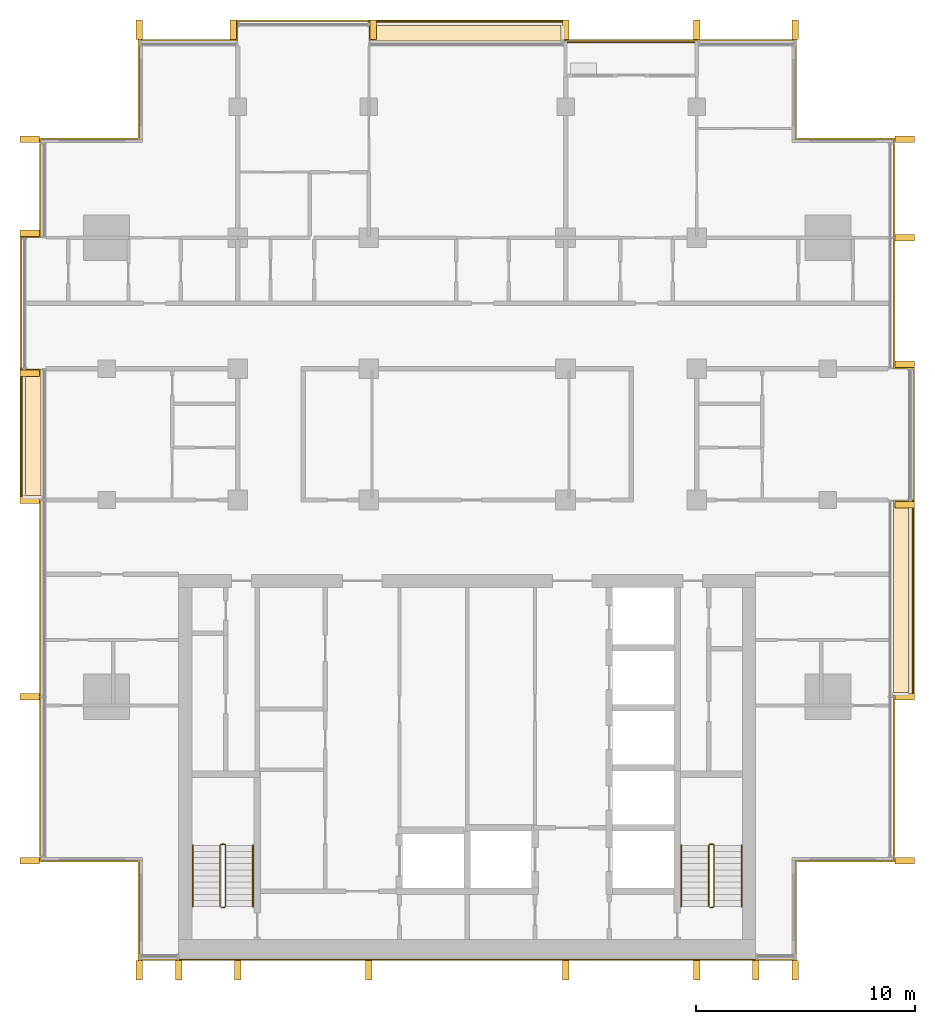
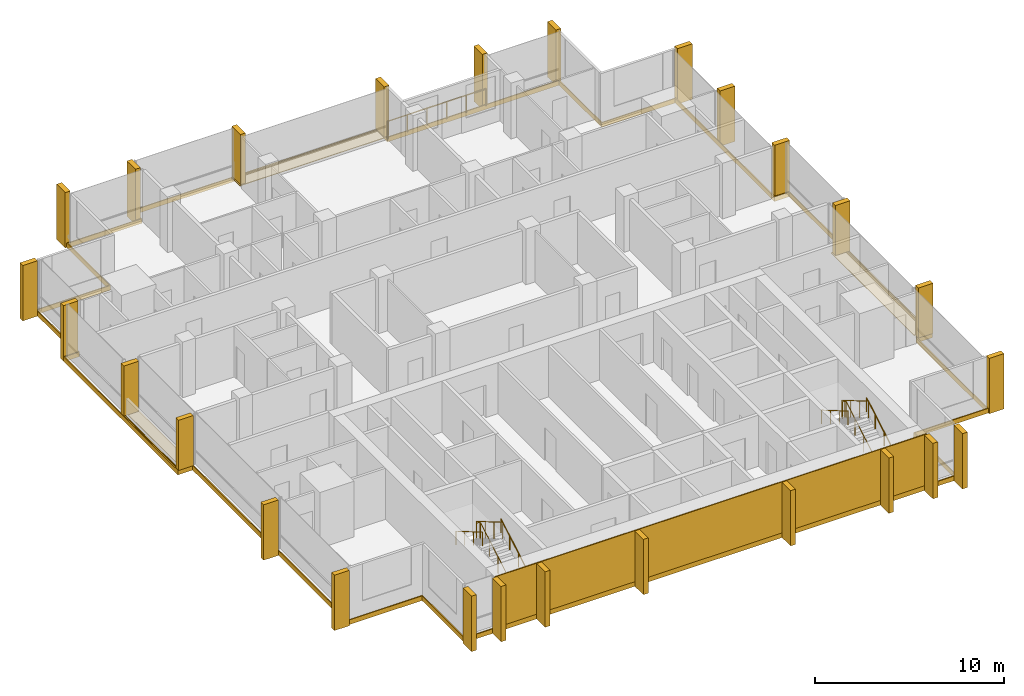
# One storey, part 16 of 16: 26 shading devices, 12 coverings, 7 railings.
"""IFC4 building model written with IfcOpenShell, lengths in metres."""

from ifc_helpers import new_model, si_unit, direction, frame, origin, origin_2d, place, context, subcontext, project, spatial, polyline, rectangle, circle, outline, extrude, material, layer, layer_set, type_object, element, save


model = new_model("IFC4")

# Units and contexts
model_context = context("Model", 3, precision=1e-05, world=origin(), true_north=direction((0.0, 1.0)))
body_context = subcontext(model_context, "Body", "Model", "MODEL_VIEW")
ifc_project = project(units=[si_unit("LENGTHUNIT", "METRE"), si_unit("AREAUNIT", "SQUARE_METRE"), si_unit("VOLUMEUNIT", "CUBIC_METRE"), si_unit("PLANEANGLEUNIT", "RADIAN"), si_unit("MASSUNIT", "GRAM", prefix="KILO")], contexts=[model_context])

# Site, building, storey
site_placement = place(None, origin())
site = spatial("IfcSite", under=ifc_project, at=site_placement, CompositionType="ELEMENT")
building_placement = place(site_placement, origin())
building = spatial("IfcBuilding", under=site, at=building_placement, Name="Finial Court Residences", CompositionType="ELEMENT")
storey_placement = place(building_placement, frame((0.0, 0.0, 219.5)))
storey = spatial("IfcBuildingStorey", under=building, at=storey_placement, Name="L55", CompositionType="ELEMENT", Elevation=219.5)

# Railing
ifc_material_1 = material(Name="Bronze anodised aluminium", Category="aluminium")
railing_type_1 = type_object("IfcRailingType", Name="Balcony guard 1100", PredefinedType="GUARDRAIL", material=ifc_material_1)
railing_1_placement = place(storey_placement, frame((4.5, 16.449951171875, 0.0)))
element("IfcRailing", 1, at=railing_1_placement, inside=storey, type_object=railing_type_1, Name="E-L55-BALN4-R", PredefinedType="GUARDRAIL", context=body_context, shape_type="SweptSolid", body=[
    extrude(circle(Radius=0.02392578125, at=origin_2d()), frame((0.0, 0.0, 1.076171875), z_axis=(1.0, 0.0, 0.0), x_axis=(0.0, 1.0, 0.0)), (0.0, 0.0, 1.0), 6.0),
    extrude(circle(Radius=0.02099609375, at=origin_2d()), origin(), (0.0, 0.0, 1.0), 1.052001953125),
    extrude(circle(Radius=0.02099609375, at=origin_2d()), frame((1.199951171875, 0.0, 0.0)), (0.0, 0.0, 1.0), 1.052001953125),
    extrude(circle(Radius=0.02099609375, at=origin_2d()), frame((2.39990234375, 0.0, 0.0)), (0.0, 0.0, 1.0), 1.052001953125),
    extrude(circle(Radius=0.02099609375, at=origin_2d()), frame((3.60009765625, 0.0, 0.0)), (0.0, 0.0, 1.0), 1.052001953125),
    extrude(circle(Radius=0.02099609375, at=origin_2d()), frame((4.800048828125, 0.0, 0.0)), (0.0, 0.0, 1.0), 1.052001953125),
    extrude(circle(Radius=0.02099609375, at=origin_2d()), frame((6.0, 0.0, 0.0)), (0.0, 0.0, 1.0), 1.052001953125),
])

# Coverings
ifc_material_2 = material(Name="Natural limestone", Category="masonry")
ifc_layer_1 = layer(ifc_material_2, 0.06005859375)
ifc_layer_set_1 = layer_set([ifc_layer_1], Name="Limestone cladding to the blind core face 60")
covering_type_1 = type_object("IfcCoveringType", Name="Limestone cladding to the blind core face 60", PredefinedType="CLADDING", material=ifc_layer_set_1)
covering_1_placement = place(storey_placement, origin())
element("IfcCovering", 2, at=covering_1_placement, inside=storey, type_object=covering_type_1, Name="E-L55-CLAD1", PredefinedType="CLADDING", context=body_context, shape_type="SweptSolid", body=[
    extrude(outline(polyline([(-10.5, -25.56005859375), (-10.5, -25.5), (-13.199951171875, -25.5), (-13.199951171875, -25.56005859375), (-10.5, -25.56005859375)])), origin(), (0.0, 0.0, 1.0), 3.300048828125),
])
covering_2_placement = place(storey_placement, origin())
element("IfcCovering", 3, at=covering_2_placement, inside=storey, type_object=covering_type_1, Name="E-L55-CLAD2", PredefinedType="CLADDING", context=body_context, shape_type="SweptSolid", body=[
    extrude(outline(polyline([(-4.5, -25.56005859375), (-4.5, -25.5), (-10.5, -25.5), (-10.5, -25.56005859375), (-4.5, -25.56005859375)])), origin(), (0.0, 0.0, 1.0), 3.300048828125),
])
covering_3_placement = place(storey_placement, origin())
element("IfcCovering", 4, at=covering_3_placement, inside=storey, type_object=covering_type_1, Name="E-L55-CLAD3", PredefinedType="CLADDING", context=body_context, shape_type="SweptSolid", body=[
    extrude(outline(polyline([(4.5, -25.56005859375), (4.5, -25.5), (-4.5, -25.5), (-4.5, -25.56005859375), (4.5, -25.56005859375)])), origin(), (0.0, 0.0, 1.0), 3.300048828125),
])
covering_4_placement = place(storey_placement, origin())
element("IfcCovering", 5, at=covering_4_placement, inside=storey, type_object=covering_type_1, Name="E-L55-CLAD4", PredefinedType="CLADDING", context=body_context, shape_type="SweptSolid", body=[
    extrude(outline(polyline([(10.5, -25.56005859375), (10.5, -25.5), (4.5, -25.5), (4.5, -25.56005859375), (10.5, -25.56005859375)])), origin(), (0.0, 0.0, 1.0), 3.300048828125),
])
covering_5_placement = place(storey_placement, origin())
element("IfcCovering", 6, at=covering_5_placement, inside=storey, type_object=covering_type_1, Name="E-L55-CLAD5", PredefinedType="CLADDING", context=body_context, shape_type="SweptSolid", body=[
    extrude(outline(polyline([(13.199951171875, -25.56005859375), (13.199951171875, -25.5), (10.5, -25.5), (10.5, -25.56005859375), (13.199951171875, -25.56005859375)])), origin(), (0.0, 0.0, 1.0), 3.300048828125),
])

# Shading devices
shading_device_type = type_object("IfcShadingDeviceType", Name="Limestone fin 300 x 900", PredefinedType="USERDEFINED", material=ifc_material_2)
for number, where, z_axis, x_axis, name in (
    (7, (-15.0, 17.010009765625, -0.300048828125), (0.0, 0.0, 1.0), (1.0, 0.0, 0.0), "E-L55-FIN-N1"),
    (8, (-10.7099609375, 17.010009765625, -0.300048828125), (0.0, 0.0, 1.0), (1.0, 0.0, 0.0), "E-L55-FIN-N2"),
):
    element("IfcShadingDevice", number, at=place(storey_placement, frame(where, z_axis=z_axis, x_axis=x_axis)), inside=storey, type_object=shading_device_type, Name=name, ObjectType="FIN", PredefinedType="USERDEFINED", context=body_context, shape_type="SweptSolid", body=[
        extrude(rectangle(XDim=0.300048828125, YDim=0.89990234375, at=origin_2d()), origin(), (0.0, 0.0, 1.0), 3.580078125),
    ])
for number, where, z_axis, x_axis, name in (
    (9, (-4.2900390625, 17.010009765625, 0.0400390625), (0.0, 0.0, 1.0), (1.0, 0.0, 0.0), "E-L55-FIN-N3"),
    (10, (4.5, 17.010009765625, 0.0400390625), (0.0, 0.0, 1.0), (1.0, 0.0, 0.0), "E-L55-FIN-N4"),
):
    element("IfcShadingDevice", number, at=place(storey_placement, frame(where, z_axis=z_axis, x_axis=x_axis)), inside=storey, type_object=shading_device_type, Name=name, ObjectType="FIN", PredefinedType="USERDEFINED", context=body_context, shape_type="SweptSolid", body=[
        extrude(rectangle(XDim=0.300048828125, YDim=0.89990234375, at=origin_2d()), origin(), (0.0, 0.0, 1.0), 3.239990234375),
    ])
for number, where, z_axis, x_axis, name in (
    (11, (10.5, 17.010009765625, -0.300048828125), (0.0, 0.0, 1.0), (1.0, 0.0, 0.0), "E-L55-FIN-N5"),
    (12, (15.0, 17.010009765625, -0.300048828125), (0.0, 0.0, 1.0), (1.0, 0.0, 0.0), "E-L55-FIN-N6"),
):
    element("IfcShadingDevice", number, at=place(storey_placement, frame(where, z_axis=z_axis, x_axis=x_axis)), inside=storey, type_object=shading_device_type, Name=name, ObjectType="FIN", PredefinedType="USERDEFINED", context=body_context, shape_type="SweptSolid", body=[
        extrude(rectangle(XDim=0.300048828125, YDim=0.89990234375, at=origin_2d()), origin(), (0.0, 0.0, 1.0), 3.580078125),
    ])
shading_device_placement = place(storey_placement, frame((20.010009765625, -21.0, -0.300048828125), z_axis=(0.0, 0.0, 1.0), x_axis=(1.0, 0.0, 0.0)))
element("IfcShadingDevice", 13, at=shading_device_placement, inside=storey, type_object=shading_device_type, Name="E-L55-FIN-E7", ObjectType="FIN", PredefinedType="USERDEFINED", context=body_context, shape_type="SweptSolid", body=[
    extrude(rectangle(XDim=0.89990234375, YDim=0.300048828125, at=origin_2d()), origin(), (0.0, 0.0, 1.0), 3.580078125),
])
for number, where, z_axis, x_axis, name in (
    (14, (20.010009765625, -13.5, 0.0400390625), (0.0, 0.0, 1.0), (1.0, 0.0, 0.0), "E-L55-FIN-E8"),
    (15, (20.010009765625, -4.7099609375, 0.0400390625), (0.0, 0.0, 1.0), (1.0, 0.0, 0.0), "E-L55-FIN-E9"),
):
    element("IfcShadingDevice", number, at=place(storey_placement, frame(where, z_axis=z_axis, x_axis=x_axis)), inside=storey, type_object=shading_device_type, Name=name, ObjectType="FIN", PredefinedType="USERDEFINED", context=body_context, shape_type="SweptSolid", body=[
        extrude(rectangle(XDim=0.89990234375, YDim=0.300048828125, at=origin_2d()), origin(), (0.0, 0.0, 1.0), 3.239990234375),
    ])
for number, where, z_axis, x_axis, name in (
    (16, (20.010009765625, 1.7099609375, -0.300048828125), (0.0, 0.0, 1.0), (1.0, 0.0, 0.0), "E-L55-FIN-E10"),
    (17, (20.010009765625, 7.5, -0.300048828125), (0.0, 0.0, 1.0), (1.0, 0.0, 0.0), "E-L55-FIN-E11"),
    (18, (20.010009765625, 12.0, -0.300048828125), (0.0, 0.0, 1.0), (1.0, 0.0, 0.0), "E-L55-FIN-E12"),
):
    element("IfcShadingDevice", number, at=place(storey_placement, frame(where, z_axis=z_axis, x_axis=x_axis)), inside=storey, type_object=shading_device_type, Name=name, ObjectType="FIN", PredefinedType="USERDEFINED", context=body_context, shape_type="SweptSolid", body=[
        extrude(rectangle(XDim=0.89990234375, YDim=0.300048828125, at=origin_2d()), origin(), (0.0, 0.0, 1.0), 3.580078125),
    ])
for number, where, z_axis, x_axis, name in (
    (19, (-15.0, -26.010009765625, -0.300048828125), (0.0, 0.0, 1.0), (1.0, 0.0, 0.0), "E-L55-FIN-S13"),
    (20, (-13.199951171875, -26.010009765625, -0.300048828125), (0.0, 0.0, 1.0), (1.0, 0.0, 0.0), "E-L55-FIN-S14"),
    (21, (-10.5, -26.010009765625, -0.300048828125), (0.0, 0.0, 1.0), (1.0, 0.0, 0.0), "E-L55-FIN-S15"),
    (22, (-4.5, -26.010009765625, -0.300048828125), (0.0, 0.0, 1.0), (1.0, 0.0, 0.0), "E-L55-FIN-S16"),
    (23, (4.5, -26.010009765625, -0.300048828125), (0.0, 0.0, 1.0), (1.0, 0.0, 0.0), "E-L55-FIN-S17"),
    (24, (10.5, -26.010009765625, -0.300048828125), (0.0, 0.0, 1.0), (1.0, 0.0, 0.0), "E-L55-FIN-S18"),
    (25, (13.199951171875, -26.010009765625, -0.300048828125), (0.0, 0.0, 1.0), (1.0, 0.0, 0.0), "E-L55-FIN-S19"),
    (26, (15.0, -26.010009765625, -0.300048828125), (0.0, 0.0, 1.0), (1.0, 0.0, 0.0), "E-L55-FIN-S20"),
):
    element("IfcShadingDevice", number, at=place(storey_placement, frame(where, z_axis=z_axis, x_axis=x_axis)), inside=storey, type_object=shading_device_type, Name=name, ObjectType="FIN", PredefinedType="USERDEFINED", context=body_context, shape_type="SweptSolid", body=[
        extrude(rectangle(XDim=0.300048828125, YDim=0.89990234375, at=origin_2d()), origin(), (0.0, 0.0, 1.0), 3.580078125),
    ])
for number, where, z_axis, x_axis, name in (
    (27, (-20.010009765625, -21.0, -0.300048828125), (0.0, 0.0, 1.0), (1.0, 0.0, 0.0), "E-L55-FIN-W21"),
    (28, (-20.010009765625, -13.5, -0.300048828125), (0.0, 0.0, 1.0), (1.0, 0.0, 0.0), "E-L55-FIN-W22"),
):
    element("IfcShadingDevice", number, at=place(storey_placement, frame(where, z_axis=z_axis, x_axis=x_axis)), inside=storey, type_object=shading_device_type, Name=name, ObjectType="FIN", PredefinedType="USERDEFINED", context=body_context, shape_type="SweptSolid", body=[
        extrude(rectangle(XDim=0.89990234375, YDim=0.300048828125, at=origin_2d()), origin(), (0.0, 0.0, 1.0), 3.580078125),
    ])
for number, where, z_axis, x_axis, name in (
    (29, (-20.010009765625, -4.5, 0.0400390625), (0.0, 0.0, 1.0), (1.0, 0.0, 0.0), "E-L55-FIN-W23"),
    (30, (-20.010009765625, 1.2900390625, 0.0400390625), (0.0, 0.0, 1.0), (1.0, 0.0, 0.0), "E-L55-FIN-W24"),
):
    element("IfcShadingDevice", number, at=place(storey_placement, frame(where, z_axis=z_axis, x_axis=x_axis)), inside=storey, type_object=shading_device_type, Name=name, ObjectType="FIN", PredefinedType="USERDEFINED", context=body_context, shape_type="SweptSolid", body=[
        extrude(rectangle(XDim=0.89990234375, YDim=0.300048828125, at=origin_2d()), origin(), (0.0, 0.0, 1.0), 3.239990234375),
    ])
for number, where, z_axis, x_axis, name in (
    (31, (-20.010009765625, 7.7099609375, -0.300048828125), (0.0, 0.0, 1.0), (1.0, 0.0, 0.0), "E-L55-FIN-W25"),
    (32, (-20.010009765625, 12.0, -0.300048828125), (0.0, 0.0, 1.0), (1.0, 0.0, 0.0), "E-L55-FIN-W26"),
):
    element("IfcShadingDevice", number, at=place(storey_placement, frame(where, z_axis=z_axis, x_axis=x_axis)), inside=storey, type_object=shading_device_type, Name=name, ObjectType="FIN", PredefinedType="USERDEFINED", context=body_context, shape_type="SweptSolid", body=[
        extrude(rectangle(XDim=0.89990234375, YDim=0.300048828125, at=origin_2d()), origin(), (0.0, 0.0, 1.0), 3.580078125),
    ])

# Coverings
ifc_material_3 = material(Name="Pale limestone", Category="masonry")
ifc_layer_2 = layer(ifc_material_3, 0.06005859375)
ifc_layer_set_2 = layer_set([ifc_layer_2], Name="Pale limestone slab-edge band 60")
covering_type_2 = type_object("IfcCoveringType", Name="Pale limestone slab-edge band 60", PredefinedType="CLADDING", material=ifc_layer_set_2)
covering_6_placement = place(storey_placement, frame((0.0, 0.0, -0.300048828125)))
element("IfcCovering", 33, at=covering_6_placement, inside=storey, type_object=covering_type_2, Name="E-L55-BAND1", PredefinedType="CLADDING", context=body_context, shape_type="SweptSolid", body=[
    extrude(outline(polyline([(15.06005859375, -21.06005859375), (15.06005859375, -25.56005859375), (-15.06005859375, -25.56005859375), (-15.06005859375, -21.06005859375), (-19.56005859375, -21.06005859375), (-19.56005859375, -4.56005859375), (-20.4599609375, -4.56005859375), (-20.4599609375, 7.56005859375), (-19.56005859375, 7.56005859375), (-19.56005859375, 12.06005859375), (-15.06005859375, 12.06005859375), (-15.06005859375, 16.56005859375), (-10.56005859375, 16.56005859375), (-10.56005859375, 17.4599609375), (4.56005859375, 17.4599609375), (4.56005859375, 16.56005859375), (15.06005859375, 16.56005859375), (15.06005859375, 12.06005859375), (19.56005859375, 12.06005859375), (19.56005859375, 1.56005859375), (20.4599609375, 1.56005859375), (20.4599609375, -13.56005859375), (19.56005859375, -13.56005859375), (19.56005859375, -21.06005859375), (15.06005859375, -21.06005859375)]), holes=[polyline([(19.5, -13.5), (20.39990234375, -13.5), (20.39990234375, -4.5), (20.39990234375, 1.5), (19.5, 1.5), (19.5, 12.0), (15.0, 12.0), (15.0, 16.5), (10.5, 16.5), (4.5, 16.5), (4.5, 17.39990234375), (-4.5, 17.39990234375), (-10.5, 17.39990234375), (-10.5, 16.5), (-15.0, 16.5), (-15.0, 12.0), (-19.5, 12.0), (-19.5, 7.5), (-20.39990234375, 7.5), (-20.39990234375, 1.5), (-20.39990234375, -4.5), (-19.5, -4.5), (-19.5, -21.0), (-15.0, -21.0), (-15.0, -25.5), (15.0, -25.5), (15.0, -21.0), (19.5, -21.0), (19.5, -13.5)])]), origin(), (0.0, 0.0, 1.0), 0.300048828125),
])
ifc_material_4 = material(Name="Bitumen membrane")
ifc_layer_3 = layer(ifc_material_4, 0.0400390625)
ifc_layer_set_3 = layer_set([ifc_layer_3], Name="Push box roofing, bitumen membrane 40")
covering_type_3 = type_object("IfcCoveringType", Name="Push box roofing, bitumen membrane 40", PredefinedType="ROOFING", material=ifc_layer_set_3)
covering_7_placement = place(storey_placement, origin())
element("IfcCovering", 34, at=covering_7_placement, inside=storey, type_object=covering_type_3, Name="E-L55-LED1", PredefinedType="ROOFING", context=body_context, shape_type="SweptSolid", body=[
    extrude(outline(polyline([(-19.5, -4.300048828125), (-20.199951171875, -4.300048828125), (-20.199951171875, 1.5), (-19.5, 1.5), (-19.5, -4.300048828125)])), origin(), (0.0, 0.0, 1.0), 0.0400390625),
])
covering_8_placement = place(storey_placement, origin())
element("IfcCovering", 35, at=covering_8_placement, inside=storey, type_object=covering_type_3, Name="E-L55-LED1b", PredefinedType="ROOFING", context=body_context, shape_type="SweptSolid", body=[
    extrude(outline(polyline([(-19.5, -4.5), (-20.39990234375, -4.5), (-20.39990234375, 1.5), (-20.35009765625, 1.5), (-20.35009765625, -4.300048828125), (-20.35009765625, -4.300048828125), (-20.35009765625, -4.449951171875), (-19.5, -4.449951171875), (-19.5, -4.5)])), origin(), (0.0, 0.0, 1.0), 0.0400390625),
])
covering_9_placement = place(storey_placement, origin())
element("IfcCovering", 36, at=covering_9_placement, inside=storey, type_object=covering_type_3, Name="E-L55-LED2", PredefinedType="ROOFING", context=body_context, shape_type="SweptSolid", body=[
    extrude(outline(polyline([(4.449951171875, 16.5), (4.449951171875, 17.199951171875), (4.449951171875, 17.35009765625), (-4.5, 17.35009765625), (-4.5, 17.39990234375), (4.5, 17.39990234375), (4.5, 16.5), (4.449951171875, 16.5)])), origin(), (0.0, 0.0, 1.0), 0.0400390625),
])
covering_10_placement = place(storey_placement, origin())
element("IfcCovering", 37, at=covering_10_placement, inside=storey, type_object=covering_type_3, Name="E-L55-LED2b", PredefinedType="ROOFING", context=body_context, shape_type="SweptSolid", body=[
    extrude(outline(polyline([(-4.5, 16.5), (-4.5, 17.199951171875), (4.300048828125, 17.199951171875), (4.300048828125, 16.5), (-4.5, 16.5)])), origin(), (0.0, 0.0, 1.0), 0.0400390625),
])
covering_11_placement = place(storey_placement, origin())
element("IfcCovering", 38, at=covering_11_placement, inside=storey, type_object=covering_type_3, Name="E-L55-LED3", PredefinedType="ROOFING", context=body_context, shape_type="SweptSolid", body=[
    extrude(outline(polyline([(19.5, -13.449951171875), (20.199951171875, -13.449951171875), (20.35009765625, -13.449951171875), (20.35009765625, -4.5), (20.39990234375, -4.5), (20.39990234375, -13.5), (19.5, -13.5), (19.5, -13.449951171875)])), origin(), (0.0, 0.0, 1.0), 0.0400390625),
])
covering_12_placement = place(storey_placement, origin())
element("IfcCovering", 39, at=covering_12_placement, inside=storey, type_object=covering_type_3, Name="E-L55-LED3b", PredefinedType="ROOFING", context=body_context, shape_type="SweptSolid", body=[
    extrude(outline(polyline([(19.5, -4.5), (20.199951171875, -4.5), (20.199951171875, -13.300048828125), (19.5, -13.300048828125), (19.5, -4.5)])), origin(), (0.0, 0.0, 1.0), 0.0400390625),
])

# Railings
ifc_material_5 = material(Name="Stainless steel railing", Category="steel")
railing_type_2 = type_object("IfcRailingType", Name="Stair guard 1100", PredefinedType="GUARDRAIL", material=ifc_material_5)
railing_2_placement = place(storey_placement, frame((-11.10009765625, -23.14990234375, 0.0)))
element("IfcRailing", 40, at=railing_2_placement, inside=storey, type_object=railing_type_2, Name="L55 ST-1 stair guard 1", PredefinedType="GUARDRAIL", context=body_context, shape_type="SweptSolid", body=[
    extrude(circle(Radius=0.02392578125, at=origin_2d()), frame((0.0, 0.0, 1.076171875), z_axis=(-1.0, 0.0, 0.0), x_axis=(0.0, -1.0, 0.0)), (0.0, 0.0, 1.0), 0.14990234375),
    extrude(circle(Radius=0.02392578125, at=origin_2d()), frame((-0.14990234375, 0.0, 1.076171875), z_axis=(0.760004195007, 0.189305074214, 0.621737253547), x_axis=(-0.241699205484, 0.970351222016, 0.0)), (0.0, 0.0, 1.0), 0.26318359375),
    extrude(circle(Radius=0.02392578125, at=origin_2d()), frame((0.050048828125, 0.0498046875, 1.23974609375), z_axis=(0.0, 0.863360870873, 0.504586966384), x_axis=(-1.0, 0.0, 0.0)), (0.0, 0.0, 1.0), 3.2431640625),
    extrude(circle(Radius=0.02392578125, at=origin_2d()), frame((0.050048828125, 2.849853515625, 2.8759765625), z_axis=(-0.707106781187, 0.707106781187, 0.0), x_axis=(-0.707106781187, -0.707106781187, 0.0)), (0.0, 0.0, 1.0), 0.07080078125),
    extrude(circle(Radius=0.02392578125, at=origin_2d()), frame((0.0, 2.89990234375, 2.8759765625), z_axis=(-1.0, 0.0, 0.0), x_axis=(0.0, -1.0, 0.0)), (0.0, 0.0, 1.0), 0.14990234375),
    extrude(circle(Radius=0.02392578125, at=origin_2d()), frame((-0.14990234375, 2.89990234375, 2.8759765625), z_axis=(-0.280808744504, -0.280808744504, 0.917765164963), x_axis=(0.707106781187, -0.707106781187, 0.0)), (0.0, 0.0, 1.0), 0.17822265625),
    extrude(circle(Radius=0.02392578125, at=origin_2d()), frame((-0.199951171875, 2.849853515625, 3.03955078125), z_axis=(0.0, -0.863360870873, 0.504586966384), x_axis=(1.0, 0.0, 0.0)), (0.0, 0.0, 1.0), 3.2431640625),
    extrude(circle(Radius=0.02099609375, at=origin_2d()), origin(), (0.0, 0.0, 1.0), 1.052001953125),
    extrude(circle(Radius=0.02099609375, at=origin_2d()), frame((-0.14990234375, 0.0, 0.0)), (0.0, 0.0, 1.0), 1.052001953125),
    extrude(circle(Radius=0.02099609375, at=origin_2d()), frame((0.050048828125, 0.0498046875, 0.16357421875)), (0.0, 0.0, 1.0), 1.052001953125),
    extrude(circle(Radius=0.02099609375, at=origin_2d()), frame((0.050048828125, 0.983154296875, 0.708984375)), (0.0, 0.0, 1.0), 1.052001953125),
    extrude(circle(Radius=0.02099609375, at=origin_2d()), frame((0.050048828125, 1.91650390625, 1.254638671875)), (0.0, 0.0, 1.0), 1.052001953125),
    extrude(circle(Radius=0.02099609375, at=origin_2d()), frame((0.050048828125, 2.849853515625, 1.800048828125)), (0.0, 0.0, 1.0), 1.052001953125),
    extrude(circle(Radius=0.02099609375, at=origin_2d()), frame((0.0, 2.89990234375, 1.800048828125)), (0.0, 0.0, 1.0), 1.052001953125),
    extrude(circle(Radius=0.02099609375, at=origin_2d()), frame((-0.14990234375, 2.89990234375, 1.800048828125)), (0.0, 0.0, 1.0), 1.052001953125),
    extrude(circle(Radius=0.02099609375, at=origin_2d()), frame((-0.199951171875, 2.849853515625, 1.963623046875)), (0.0, 0.0, 1.0), 1.052001953125),
    extrude(circle(Radius=0.02099609375, at=origin_2d()), frame((-0.199951171875, 1.91650390625, 2.509033203125)), (0.0, 0.0, 1.0), 1.052001953125),
    extrude(circle(Radius=0.02099609375, at=origin_2d()), frame((-0.199951171875, 0.983154296875, 3.0546875)), (0.0, 0.0, 1.0), 1.052001953125),
    extrude(circle(Radius=0.02099609375, at=origin_2d()), frame((-0.199951171875, 0.0498046875, 3.60009765625)), (0.0, 0.0, 1.0), 1.052001953125),
])
railing_3_placement = place(storey_placement, frame((11.25, -23.14990234375, 0.0)))
element("IfcRailing", 41, at=railing_3_placement, inside=storey, type_object=railing_type_2, Name="L55 ST-2 stair guard 1", PredefinedType="GUARDRAIL", context=body_context, shape_type="SweptSolid", body=[
    extrude(circle(Radius=0.02392578125, at=origin_2d()), frame((0.0, 0.0, 1.076171875), z_axis=(-1.0, 0.0, 0.0), x_axis=(0.0, -1.0, 0.0)), (0.0, 0.0, 1.0), 0.14990234375),
    extrude(circle(Radius=0.02392578125, at=origin_2d()), frame((-0.14990234375, 0.0, 1.076171875), z_axis=(0.760004195007, 0.189305074214, 0.621737253547), x_axis=(-0.241699205484, 0.970351222016, 0.0)), (0.0, 0.0, 1.0), 0.26318359375),
    extrude(circle(Radius=0.02392578125, at=origin_2d()), frame((0.050048828125, 0.0498046875, 1.23974609375), z_axis=(0.0, 0.863360870873, 0.504586966384), x_axis=(-1.0, 0.0, 0.0)), (0.0, 0.0, 1.0), 3.2431640625),
    extrude(circle(Radius=0.02392578125, at=origin_2d()), frame((0.050048828125, 2.849853515625, 2.8759765625), z_axis=(-0.707106781187, 0.707106781187, 0.0), x_axis=(-0.707106781187, -0.707106781187, 0.0)), (0.0, 0.0, 1.0), 0.07080078125),
    extrude(circle(Radius=0.02392578125, at=origin_2d()), frame((0.0, 2.89990234375, 2.8759765625), z_axis=(-1.0, 0.0, 0.0), x_axis=(0.0, -1.0, 0.0)), (0.0, 0.0, 1.0), 0.14990234375),
    extrude(circle(Radius=0.02392578125, at=origin_2d()), frame((-0.14990234375, 2.89990234375, 2.8759765625), z_axis=(-0.280808744504, -0.280808744504, 0.917765164963), x_axis=(0.707106781187, -0.707106781187, 0.0)), (0.0, 0.0, 1.0), 0.17822265625),
    extrude(circle(Radius=0.02392578125, at=origin_2d()), frame((-0.199951171875, 2.849853515625, 3.03955078125), z_axis=(0.0, -0.863360870873, 0.504586966384), x_axis=(1.0, 0.0, 0.0)), (0.0, 0.0, 1.0), 3.2431640625),
    extrude(circle(Radius=0.02099609375, at=origin_2d()), origin(), (0.0, 0.0, 1.0), 1.052001953125),
    extrude(circle(Radius=0.02099609375, at=origin_2d()), frame((-0.14990234375, 0.0, 0.0)), (0.0, 0.0, 1.0), 1.052001953125),
    extrude(circle(Radius=0.02099609375, at=origin_2d()), frame((0.050048828125, 0.0498046875, 0.16357421875)), (0.0, 0.0, 1.0), 1.052001953125),
    extrude(circle(Radius=0.02099609375, at=origin_2d()), frame((0.050048828125, 0.983154296875, 0.708984375)), (0.0, 0.0, 1.0), 1.052001953125),
    extrude(circle(Radius=0.02099609375, at=origin_2d()), frame((0.050048828125, 1.91650390625, 1.254638671875)), (0.0, 0.0, 1.0), 1.052001953125),
    extrude(circle(Radius=0.02099609375, at=origin_2d()), frame((0.050048828125, 2.849853515625, 1.800048828125)), (0.0, 0.0, 1.0), 1.052001953125),
    extrude(circle(Radius=0.02099609375, at=origin_2d()), frame((0.0, 2.89990234375, 1.800048828125)), (0.0, 0.0, 1.0), 1.052001953125),
    extrude(circle(Radius=0.02099609375, at=origin_2d()), frame((-0.14990234375, 2.89990234375, 1.800048828125)), (0.0, 0.0, 1.0), 1.052001953125),
    extrude(circle(Radius=0.02099609375, at=origin_2d()), frame((-0.199951171875, 2.849853515625, 1.963623046875)), (0.0, 0.0, 1.0), 1.052001953125),
    extrude(circle(Radius=0.02099609375, at=origin_2d()), frame((-0.199951171875, 1.91650390625, 2.509033203125)), (0.0, 0.0, 1.0), 1.052001953125),
    extrude(circle(Radius=0.02099609375, at=origin_2d()), frame((-0.199951171875, 0.983154296875, 3.0546875)), (0.0, 0.0, 1.0), 1.052001953125),
    extrude(circle(Radius=0.02099609375, at=origin_2d()), frame((-0.199951171875, 0.0498046875, 3.60009765625)), (0.0, 0.0, 1.0), 1.052001953125),
])
railing_type_3 = type_object("IfcRailingType", Name="Stair handrail 900", PredefinedType="HANDRAIL", material=ifc_material_5)
railing_4_placement = place(storey_placement, frame((-9.800048828125, -23.10009765625, 0.16357421875)))
element("IfcRailing", 42, at=railing_4_placement, inside=storey, type_object=railing_type_3, Name="L55 ST-1 stair handrail 1", PredefinedType="HANDRAIL", context=body_context, shape_type="SweptSolid", body=[
    extrude(circle(Radius=0.02392578125, at=origin_2d()), frame((0.0, 0.0, 0.8759765625), z_axis=(0.0, 0.863360870873, 0.504586966384), x_axis=(-1.0, 0.0, 0.0)), (0.0, 0.0, 1.0), 3.2431640625),
    extrude(circle(Radius=0.02099609375, at=origin_2d()), origin(), (0.0, 0.0, 1.0), 0.851806640625),
    extrude(circle(Radius=0.02099609375, at=origin_2d()), frame((0.0, 0.933349609375, 0.54541015625)), (0.0, 0.0, 1.0), 0.851806640625),
    extrude(circle(Radius=0.02099609375, at=origin_2d()), frame((0.0, 1.86669921875, 1.091064453125)), (0.0, 0.0, 1.0), 0.851806640625),
    extrude(circle(Radius=0.02099609375, at=origin_2d()), frame((0.0, 2.800048828125, 1.636474609375)), (0.0, 0.0, 1.0), 0.851806640625),
])
railing_5_placement = place(storey_placement, frame((-12.550048828125, -20.300048828125, 1.963623046875)))
element("IfcRailing", 43, at=railing_5_placement, inside=storey, type_object=railing_type_3, Name="L55 ST-1 stair handrail 2", PredefinedType="HANDRAIL", context=body_context, shape_type="SweptSolid", body=[
    extrude(circle(Radius=0.02392578125, at=origin_2d()), frame((0.0, 0.0, 0.8759765625), z_axis=(0.0, -0.863360870873, 0.504586966384), x_axis=(1.0, 0.0, 0.0)), (0.0, 0.0, 1.0), 3.2431640625),
    extrude(circle(Radius=0.02099609375, at=origin_2d()), origin(), (0.0, 0.0, 1.0), 0.851806640625),
    extrude(circle(Radius=0.02099609375, at=origin_2d()), frame((0.0, -0.933349609375, 0.54541015625)), (0.0, 0.0, 1.0), 0.851806640625),
    extrude(circle(Radius=0.02099609375, at=origin_2d()), frame((0.0, -1.86669921875, 1.091064453125)), (0.0, 0.0, 1.0), 0.851806640625),
    extrude(circle(Radius=0.02099609375, at=origin_2d()), frame((0.0, -2.800048828125, 1.636474609375)), (0.0, 0.0, 1.0), 0.851806640625),
])
railing_6_placement = place(storey_placement, frame((12.550048828125, -23.10009765625, 0.16357421875)))
element("IfcRailing", 44, at=railing_6_placement, inside=storey, type_object=railing_type_3, Name="L55 ST-2 stair handrail 1", PredefinedType="HANDRAIL", context=body_context, shape_type="SweptSolid", body=[
    extrude(circle(Radius=0.02392578125, at=origin_2d()), frame((0.0, 0.0, 0.8759765625), z_axis=(0.0, 0.863360870873, 0.504586966384), x_axis=(-1.0, 0.0, 0.0)), (0.0, 0.0, 1.0), 3.2431640625),
    extrude(circle(Radius=0.02099609375, at=origin_2d()), origin(), (0.0, 0.0, 1.0), 0.851806640625),
    extrude(circle(Radius=0.02099609375, at=origin_2d()), frame((0.0, 0.933349609375, 0.54541015625)), (0.0, 0.0, 1.0), 0.851806640625),
    extrude(circle(Radius=0.02099609375, at=origin_2d()), frame((0.0, 1.86669921875, 1.091064453125)), (0.0, 0.0, 1.0), 0.851806640625),
    extrude(circle(Radius=0.02099609375, at=origin_2d()), frame((0.0, 2.800048828125, 1.636474609375)), (0.0, 0.0, 1.0), 0.851806640625),
])
railing_7_placement = place(storey_placement, frame((9.800048828125, -20.300048828125, 1.963623046875)))
element("IfcRailing", 45, at=railing_7_placement, inside=storey, type_object=railing_type_3, Name="L55 ST-2 stair handrail 2", PredefinedType="HANDRAIL", context=body_context, shape_type="SweptSolid", body=[
    extrude(circle(Radius=0.02392578125, at=origin_2d()), frame((0.0, 0.0, 0.8759765625), z_axis=(0.0, -0.863360870873, 0.504586966384), x_axis=(1.0, 0.0, 0.0)), (0.0, 0.0, 1.0), 3.2431640625),
    extrude(circle(Radius=0.02099609375, at=origin_2d()), origin(), (0.0, 0.0, 1.0), 0.851806640625),
    extrude(circle(Radius=0.02099609375, at=origin_2d()), frame((0.0, -0.933349609375, 0.54541015625)), (0.0, 0.0, 1.0), 0.851806640625),
    extrude(circle(Radius=0.02099609375, at=origin_2d()), frame((0.0, -1.86669921875, 1.091064453125)), (0.0, 0.0, 1.0), 0.851806640625),
    extrude(circle(Radius=0.02099609375, at=origin_2d()), frame((0.0, -2.800048828125, 1.636474609375)), (0.0, 0.0, 1.0), 0.851806640625),
])

save(model, "model.ifc")
